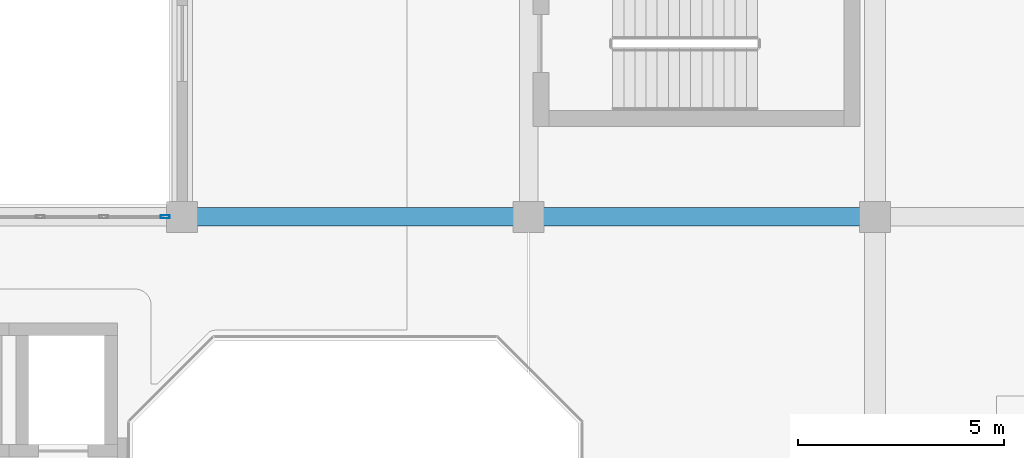
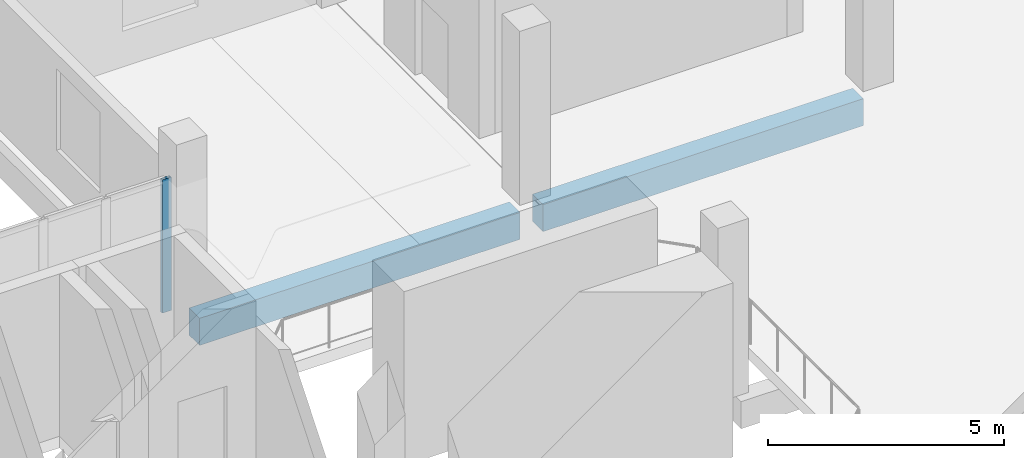
# One storey, part 12 of 30: 2 beams, 1 member, 1 element without a shape of its own.
"""IFC4 building model written with IfcOpenShell, lengths in metres."""

from ifc_helpers import new_model, si_unit, direction, frame, origin, origin_2d, place, context, subcontext, project, spatial, rectangle, hollow_rectangle, extrude, material, layer, layer_set, material_profile, profile_set, type_object, element, aggregate, save


model = new_model("IFC4")

# Units and contexts
model_context = context("Model", 3, precision=1e-05, world=origin(), true_north=direction((0.0, 1.0)))
body_context = subcontext(model_context, "Body", "Model", "MODEL_VIEW")
ifc_project = project(units=[si_unit("LENGTHUNIT", "METRE"), si_unit("AREAUNIT", "SQUARE_METRE"), si_unit("VOLUMEUNIT", "CUBIC_METRE"), si_unit("PLANEANGLEUNIT", "RADIAN"), si_unit("MASSUNIT", "GRAM", prefix="KILO")], contexts=[model_context])

# Site, building, storey
site_placement = place(None, origin())
site = spatial("IfcSite", under=ifc_project, at=site_placement, CompositionType="ELEMENT")
building_placement = place(site_placement, origin())
building = spatial("IfcBuilding", under=site, at=building_placement, Name="Xazarin Passage Department Store", CompositionType="ELEMENT")
storey_placement = place(building_placement, frame((0.0, 0.0, 23.39990234375)))
storey = spatial("IfcBuildingStorey", under=building, at=storey_placement, Name="L05", CompositionType="ELEMENT", Elevation=23.39990234375)

# Curtain wall, member
ifc_material_1 = material(Name="Bronze anodised aluminium", Category="aluminium")
ifc_layer = layer(ifc_material_1, 0.199951171875)
ifc_layer_set = layer_set([ifc_layer], Name="Bronze anodised aluminium")
curtain_wall_type = type_object("IfcCurtainWallType", Name="ARC-CW-VIT2", PredefinedType="NOTDEFINED", material=ifc_layer_set)
curtain_wall_placement = place(storey_placement, origin())
curtain_wall = element("IfcCurtainWall", 1, at=curtain_wall_placement, inside=storey, type_object=curtain_wall_type, Name="L05 V1 Curtain Wall 079", PredefinedType="NOTDEFINED")
ifc_material_profile_1 = material_profile(ifc_material_1, hollow_rectangle(XDim=0.074951171875, YDim=0.219970703125, WallThickness=0.0048828125, at=origin_2d()), Name="ALU 75x220")
ifc_profile_set_1 = profile_set([ifc_material_profile_1], Name="Bronze anodised aluminium")
member_type = type_object("IfcMemberType", Name="ARC-CWM-75x220", PredefinedType="MULLION", material=ifc_profile_set_1)
member_placement = place(storey_placement, frame((16.387451171875, 101.60009765625, 0.0), z_axis=(0.0, 0.0, 1.0), x_axis=(0.0, 1.0, 0.0)))
member = element("IfcMember", 2, at=member_placement, type_object=member_type, Name="CW2 mullion 6", PredefinedType="MULLION", context=body_context, shape_type="SweptSolid", body=[
    extrude(hollow_rectangle(XDim=0.074951171875, YDim=0.219970703125, WallThickness=0.0048828125, at=origin_2d()), origin(), (0.0, 0.0, 1.0), 3.4501953125),
])
aggregate(curtain_wall, [member])

# Beams
ifc_material_2 = material(Name="Concrete C35/45", Category="concrete")
ifc_material_profile_2 = material_profile(ifc_material_2, rectangle(XDim=0.449951171875, YDim=0.699951171875, at=origin_2d()), Name="RC 450x700")
ifc_profile_set_2 = profile_set([ifc_material_profile_2], Name="Concrete C35/45")
beam_type = type_object("IfcBeamType", Name="STR-BM-G450x700", PredefinedType="BEAM", material=ifc_profile_set_2)
beam_1_placement = place(storey_placement, frame((17.080078125, 101.60009765625, -0.64990234375), z_axis=(1.0, 0.0, 0.0), x_axis=(0.0, 1.0, 0.0)))
element("IfcBeam", 3, at=beam_1_placement, inside=storey, type_object=beam_type, Name="L05 Grid Beam P/3-4", PredefinedType="BEAM", context=body_context, shape_type="SweptSolid", body=[
    extrude(rectangle(XDim=0.449951171875, YDim=0.699951171875, at=origin_2d()), origin(), (0.0, 0.0, 1.0), 7.83984375),
])
beam_2_placement = place(storey_placement, frame((25.47998046875, 101.60009765625, -0.64990234375), z_axis=(1.0, 0.0, 0.0), x_axis=(0.0, 1.0, 0.0)))
element("IfcBeam", 4, at=beam_2_placement, inside=storey, type_object=beam_type, Name="L05 Grid Beam P/4-5", PredefinedType="BEAM", context=body_context, shape_type="SweptSolid", body=[
    extrude(rectangle(XDim=0.449951171875, YDim=0.699951171875, at=origin_2d()), origin(), (0.0, 0.0, 1.0), 7.840087890625),
])

save(model, "model.ifc")
